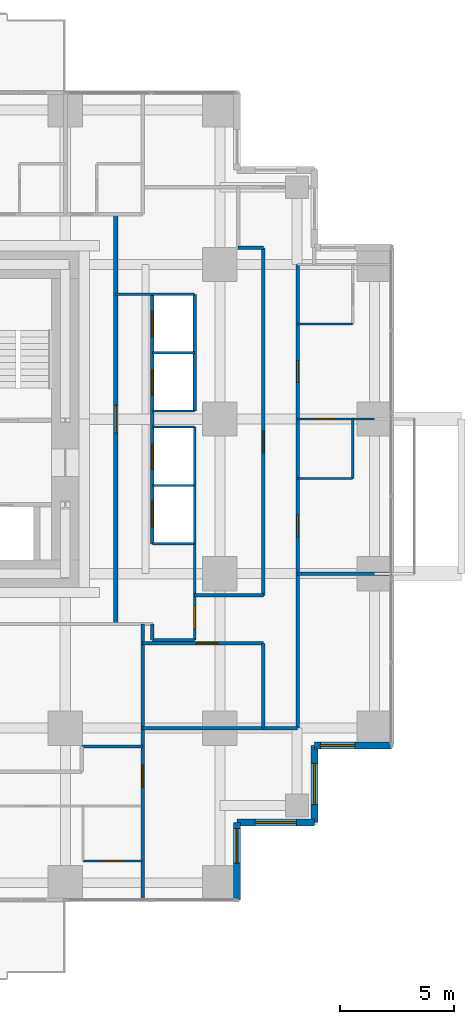
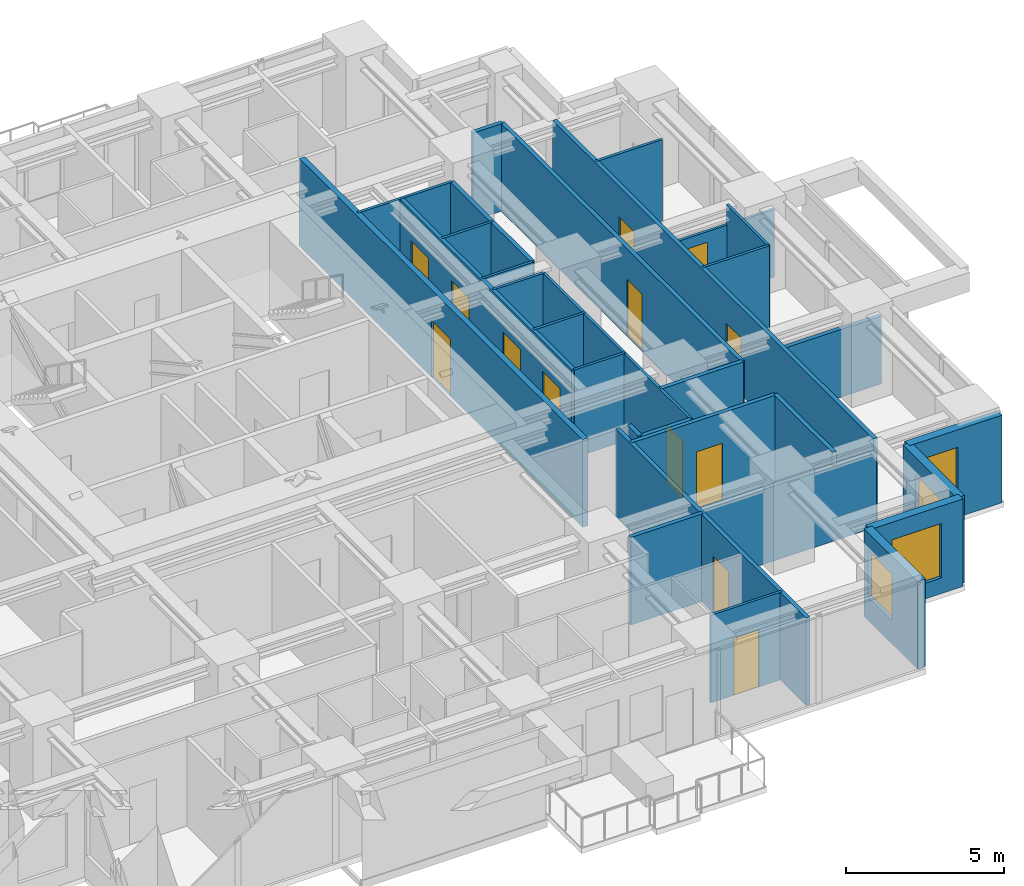
# One storey, part 9 of 12: 31 walls, 13 doors, 4 windows, 17 openings.
"""IFC4 building model written with IfcOpenShell, lengths in metres."""

from ifc_helpers import new_model, si_unit, direction, frame, frame_2d, origin, place, context, subcontext, project, spatial, rectangle, extrude, material, layer, layer_set, type_object, element, fill, save


model = new_model("IFC4")

# Units and contexts
model_context = context("Model", 3, precision=1e-05, world=origin(), true_north=direction((0.0, 1.0)))
body_context = subcontext(model_context, "Body", "Model", "MODEL_VIEW")
ifc_project = project(units=[si_unit("LENGTHUNIT", "METRE"), si_unit("AREAUNIT", "SQUARE_METRE"), si_unit("VOLUMEUNIT", "CUBIC_METRE"), si_unit("PLANEANGLEUNIT", "RADIAN"), si_unit("MASSUNIT", "GRAM", prefix="KILO")], contexts=[model_context])

# Site, building, storey
site_placement = place(None, origin())
site = spatial("IfcSite", under=ifc_project, at=site_placement, CompositionType="ELEMENT")
building_placement = place(site_placement, origin())
building = spatial("IfcBuilding", under=site, at=building_placement, Name="Nyansa Garden Tower", CompositionType="ELEMENT")
storey_placement = place(building_placement, frame((0.0, 0.0, 119.699951171875)))
storey = spatial("IfcBuildingStorey", under=building, at=storey_placement, Name="L32", CompositionType="ELEMENT", Elevation=119.699951171875)

# Wall, opening, door
ifc_material_1 = material(Name="Concrete blockwork, plastered, 60 minute fire resisting", Category="masonry")
ifc_layer_1 = layer(ifc_material_1, 0.199951171875)
ifc_layer_set_1 = layer_set([ifc_layer_1], Name="Corridor wall FW200")
wall_type_1 = type_object("IfcWallType", Name="Corridor wall FW200", PredefinedType="PARTITIONING", material=ifc_layer_set_1)
wall_1_placement = place(storey_placement, frame((29.199951171875, 11.300048828125, 0.0), z_axis=(0.0, 0.0, 1.0), x_axis=(0.0, 1.0, 0.0)))
wall_1 = element("IfcWall", 1, at=wall_1_placement, inside=storey, type_object=wall_type_1, Name="Corridor wall", PredefinedType="PARTITIONING", context=body_context, shape_type="SweptSolid", body=[
    extrude(rectangle(XDim=17.89990234375, YDim=0.199951171875, at=frame_2d((8.949951171875, 0.0))), origin(), (0.0, 0.0, 1.0), 3.375),
])
opening_1_placement = place(wall_1_placement, frame((8.35009765625, 0.0, 0.0)))
opening_1 = element("IfcOpeningElement", 2, at=opening_1_placement, cuts=wall_1, Name="Opening D06", PredefinedType="OPENING", context=body_context, shape_type="SweptSolid", body=[
    extrude(rectangle(XDim=1.199951171875, YDim=2.199951171875, at=frame_2d((0.60009765625, 1.10009765625))), frame((0.0, 0.10986328125, 0.0), z_axis=(0.0, -1.0, 0.0), x_axis=(1.0, 0.0, 0.0)), (0.0, 0.0, 1.0), 0.219970703125),
])
ifc_material_2 = material(Name="Steel door, 120 minute fire resisting", Category="steel")
door_type_1 = type_object("IfcDoorType", Name="Lobby door D06 1200x2200", OperationType="DOUBLE_DOOR_SINGLE_SWING", PredefinedType="DOOR", material=ifc_material_2)
door_1_placement = place(opening_1_placement, origin())
door_1 = element("IfcDoor", 3, at=door_1_placement, inside=storey, type_object=door_type_1, Name="Low-rise lift lobby door", OperationType="DOUBLE_DOOR_SINGLE_SWING", OverallHeight=2.199951171875, OverallWidth=1.199951171875, PredefinedType="DOOR", context=body_context, shape_type="SweptSolid", body=[
    extrude(rectangle(XDim=1.199951171875, YDim=2.199951171875, at=frame_2d((0.60009765625, 1.10009765625))), frame((0.0, 0.02490234375, 0.0), z_axis=(0.0, -1.0, 0.0), x_axis=(1.0, 0.0, 0.0)), (0.0, 0.0, 1.0), 0.050048828125),
])
fill(opening_1, door_1)

# Walls
ifc_material_3 = material(Name="Steel-stud shaft wall, two layers fire-rated board, EI 120", Category="steel")
ifc_layer_2 = layer(ifc_material_3, 0.10009765625)
ifc_layer_set_2 = layer_set([ifc_layer_2], Name="Lift shaft wall SW100")
wall_type_2 = type_object("IfcWallType", Name="Lift shaft wall SW100", PredefinedType="SHEAR", material=ifc_layer_set_2)
wall_2_placement = place(storey_placement, frame((29.199951171875, 25.699951171875, 0.0), z_axis=(0.0, 0.0, 1.0), x_axis=(1.0, 0.0, 0.0)))
element("IfcWall", 4, at=wall_2_placement, inside=storey, type_object=wall_type_2, Name="Lift shaft wall", PredefinedType="SHEAR", context=body_context, shape_type="SweptSolid", body=[
    extrude(rectangle(XDim=3.449951171875, YDim=0.10009765625, at=frame_2d((1.72509765625, 0.0))), origin(), (0.0, 0.0, 1.0), 3.375),
])
for number, where, z_axis, x_axis, name in (
    (5, (30.800048828125, 14.800048828125, 0.0), (0.0, 0.0, 1.0), (1.0, 0.0, 0.0), "Lift shaft wall"),
    (6, (30.800048828125, 17.35009765625, 0.0), (0.0, 0.0, 1.0), (1.0, 0.0, 0.0), "Lift shaft wall"),
    (7, (30.800048828125, 19.89990234375, 0.0), (0.0, 0.0, 1.0), (1.0, 0.0, 0.0), "Lift shaft wall"),
    (8, (30.800048828125, 20.60009765625, 0.0), (0.0, 0.0, 1.0), (1.0, 0.0, 0.0), "Lift shaft wall"),
    (9, (30.800048828125, 23.14990234375, 0.0), (0.0, 0.0, 1.0), (1.0, 0.0, 0.0), "Lift shaft wall"),
):
    element("IfcWall", number, at=place(storey_placement, frame(where, z_axis=z_axis, x_axis=x_axis)), inside=storey, type_object=wall_type_2, Name=name, PredefinedType="SHEAR", context=body_context, shape_type="SweptSolid", body=[
        extrude(rectangle(XDim=1.849853515625, YDim=0.10009765625, at=frame_2d((0.9248046875, 0.0))), origin(), (0.0, 0.0, 1.0), 3.375),
    ])

# Wall, opening, door
wall_3_placement = place(storey_placement, frame((32.64990234375, 10.60009765625, 0.0), z_axis=(0.0, 0.0, 1.0), x_axis=(0.0, 1.0, 0.0)))
wall_3 = element("IfcWall", 10, at=wall_3_placement, inside=storey, type_object=wall_type_2, Name="Lift shaft wall", PredefinedType="SHEAR", context=body_context, shape_type="SweptSolid", body=[
    extrude(rectangle(XDim=9.2998046875, YDim=0.10009765625, at=frame_2d((4.64990234375, 0.0))), origin(), (0.0, 0.0, 1.0), 3.375),
])
opening_2_placement = place(wall_3_placement, frame((0.5, 0.0, 0.0)))
opening_2 = element("IfcOpeningElement", 11, at=opening_2_placement, cuts=wall_3, Name="Opening D03", PredefinedType="OPENING", context=body_context, shape_type="SweptSolid", body=[
    extrude(rectangle(XDim=1.0, YDim=2.199951171875, at=frame_2d((0.5, 1.10009765625))), frame((0.0, 0.06005859375, 0.0), z_axis=(0.0, -1.0, 0.0), x_axis=(1.0, 0.0, 0.0)), (0.0, 0.0, 1.0), 0.1201171875),
])
ifc_material_4 = material(Name="Timber flush door, 60 minute fire resisting", Category="wood")
door_type_2 = type_object("IfcDoorType", Name="Cluster entrance door D03 1000x2200", OperationType="SINGLE_SWING_LEFT", PredefinedType="DOOR", material=ifc_material_4)
door_2_placement = place(opening_2_placement, origin())
door_2 = element("IfcDoor", 12, at=door_2_placement, inside=storey, type_object=door_type_2, Name="Door L32-037", OperationType="SINGLE_SWING_LEFT", OverallHeight=2.199951171875, OverallWidth=1.0, PredefinedType="DOOR", context=body_context, shape_type="SweptSolid", body=[
    extrude(rectangle(XDim=1.0, YDim=2.199951171875, at=frame_2d((0.5, 1.10009765625))), frame((0.0, 0.02490234375, 0.0), z_axis=(0.0, -1.0, 0.0), x_axis=(1.0, 0.0, 0.0)), (0.0, 0.0, 1.0), 0.050048828125),
])
fill(opening_2, door_2)

# Wall
ifc_material_5 = material(Name="Blockwork, plastered both sides", Category="masonry")
ifc_layer_3 = layer(ifc_material_5, 0.14990234375)
ifc_layer_set_3 = layer_set([ifc_layer_3], Name="Partition PW150")
wall_type_3 = type_object("IfcWallType", Name="Partition PW150", PredefinedType="PARTITIONING", material=ifc_layer_set_3)
wall_4_placement = place(storey_placement, frame((27.72509765625, 5.949951171875, 0.0), z_axis=(0.0, 0.0, 1.0), x_axis=(1.0, 0.0, 0.0)))
element("IfcWall", 13, at=wall_4_placement, inside=storey, type_object=wall_type_3, Name="Partition", PredefinedType="PARTITIONING", context=body_context, shape_type="SweptSolid", body=[
    extrude(rectangle(XDim=2.64990234375, YDim=0.14990234375, at=frame_2d((1.324951171875, 0.0))), origin(), (0.0, 0.0, 1.0), 3.375),
])

# Wall, opening, door
wall_5_placement = place(storey_placement, frame((30.375, -0.73388671875, 0.0), z_axis=(0.0, 0.0, 1.0), x_axis=(0.0, 1.0, 0.0)))
wall_5 = element("IfcWall", 14, at=wall_5_placement, inside=storey, type_object=wall_type_3, Name="Partition", PredefinedType="PARTITIONING", context=body_context, shape_type="SweptSolid", body=[
    extrude(rectangle(XDim=12.033935546875, YDim=0.14990234375, at=frame_2d((6.01708984375, 0.0))), origin(), (0.0, 0.0, 1.0), 3.375),
])
opening_3_placement = place(wall_5_placement, frame((4.884033203125, 0.0, 0.0)))
opening_3 = element("IfcOpeningElement", 15, at=opening_3_placement, cuts=wall_5, Name="Opening D03", PredefinedType="OPENING", context=body_context, shape_type="SweptSolid", body=[
    extrude(rectangle(XDim=1.0, YDim=2.199951171875, at=frame_2d((0.5, 1.10009765625))), frame((0.0, 0.0849609375, 0.0), z_axis=(0.0, -1.0, 0.0), x_axis=(1.0, 0.0, 0.0)), (0.0, 0.0, 1.0), 0.169921875),
])
door_3_placement = place(opening_3_placement, origin())
door_3 = element("IfcDoor", 16, at=door_3_placement, inside=storey, type_object=door_type_2, Name="Door L32-032", OperationType="SINGLE_SWING_LEFT", OverallHeight=2.199951171875, OverallWidth=1.0, PredefinedType="DOOR", context=body_context, shape_type="SweptSolid", body=[
    extrude(rectangle(XDim=1.0, YDim=2.199951171875, at=frame_2d((0.5, 1.10009765625))), frame((0.0, 0.02490234375, 0.0), z_axis=(0.0, -1.0, 0.0), x_axis=(1.0, 0.0, 0.0)), (0.0, 0.0, 1.0), 0.050048828125),
])
fill(opening_3, door_3)

# Wall
wall_6_placement = place(storey_placement, frame((30.375, 6.75, 0.0), z_axis=(0.0, 0.0, 1.0), x_axis=(1.0, 0.0, 0.0)))
element("IfcWall", 17, at=wall_6_placement, inside=storey, type_object=wall_type_3, Name="Partition", PredefinedType="PARTITIONING", context=body_context, shape_type="SweptSolid", body=[
    extrude(rectangle(XDim=6.77490234375, YDim=0.14990234375, at=frame_2d((3.387451171875, 0.0))), origin(), (0.0, 0.0, 1.0), 2.876953125),
])

# Wall, opening, door
wall_7_placement = place(storey_placement, frame((30.375, 10.449951171875, 0.0), z_axis=(0.0, 0.0, 1.0), x_axis=(1.0, 0.0, 0.0)))
wall_7 = element("IfcWall", 18, at=wall_7_placement, inside=storey, type_object=wall_type_3, Name="Partition", PredefinedType="PARTITIONING", context=body_context, shape_type="SweptSolid", body=[
    extrude(rectangle(XDim=5.27490234375, YDim=0.14990234375, at=frame_2d((2.637451171875, 0.0))), origin(), (0.0, 0.0, 1.0), 3.375),
])
opening_4_placement = place(wall_7_placement, frame((2.35009765625, 0.0, 0.0)))
opening_4 = element("IfcOpeningElement", 19, at=opening_4_placement, cuts=wall_7, Name="Opening D01", PredefinedType="OPENING", context=body_context, shape_type="SweptSolid", body=[
    extrude(rectangle(XDim=0.949951171875, YDim=2.199951171875, at=frame_2d((0.47509765625, 1.10009765625))), frame((0.0, 0.0849609375, 0.0), z_axis=(0.0, -1.0, 0.0), x_axis=(1.0, 0.0, 0.0)), (0.0, 0.0, 1.0), 0.169921875),
])
ifc_material_6 = material(Name="Timber flush door, 30 minute fire resisting", Category="wood")
door_type_3 = type_object("IfcDoorType", Name="Bedroom door D01 950x2200", OperationType="SINGLE_SWING_LEFT", PredefinedType="DOOR", material=ifc_material_6)
door_4_placement = place(opening_4_placement, origin())
door_4 = element("IfcDoor", 20, at=door_4_placement, inside=storey, type_object=door_type_3, Name="Door L32-039", OperationType="SINGLE_SWING_LEFT", OverallHeight=2.199951171875, OverallWidth=0.949951171875, PredefinedType="DOOR", context=body_context, shape_type="SweptSolid", body=[
    extrude(rectangle(XDim=0.949951171875, YDim=2.199951171875, at=frame_2d((0.47509765625, 1.10009765625))), frame((0.0, 0.02490234375, 0.0), z_axis=(0.0, -1.0, 0.0), x_axis=(1.0, 0.0, 0.0)), (0.0, 0.0, 1.0), 0.050048828125),
])
fill(opening_4, door_4)

# Walls
wall_8_placement = place(storey_placement, frame((30.800048828125, 10.60009765625, 0.0), z_axis=(0.0, 0.0, 1.0), x_axis=(0.0, 1.0, 0.0)))
element("IfcWall", 21, at=wall_8_placement, inside=storey, type_object=wall_type_3, Name="Partition", PredefinedType="PARTITIONING", context=body_context, shape_type="SweptSolid", body=[
    extrude(rectangle(XDim=0.699951171875, YDim=0.14990234375, at=frame_2d((0.35009765625, 0.0))), origin(), (0.0, 0.0, 1.0), 3.375),
])
wall_9_placement = place(storey_placement, frame((30.800048828125, 10.60009765625, 0.0), z_axis=(0.0, 0.0, 1.0), x_axis=(1.0, 0.0, 0.0)))
element("IfcWall", 22, at=wall_9_placement, inside=storey, type_object=wall_type_3, Name="Partition", PredefinedType="PARTITIONING", context=body_context, shape_type="SweptSolid", body=[
    extrude(rectangle(XDim=1.849853515625, YDim=0.14990234375, at=frame_2d((0.9248046875, 0.0))), origin(), (0.0, 0.0, 1.0), 3.375),
])

# Wall, openings, doors
wall_10_placement = place(storey_placement, frame((30.800048828125, 14.800048828125, 0.0), z_axis=(0.0, 0.0, 1.0), x_axis=(0.0, 1.0, 0.0)))
wall_10 = element("IfcWall", 23, at=wall_10_placement, inside=storey, type_object=wall_type_3, Name="Partition", PredefinedType="PARTITIONING", context=body_context, shape_type="SweptSolid", body=[
    extrude(rectangle(XDim=10.89990234375, YDim=0.14990234375, at=frame_2d((5.449951171875, 0.0))), origin(), (0.0, 0.0, 1.0), 3.375),
])
opening_5_placement = place(wall_10_placement, frame((0.75, 0.0, 0.0)))
opening_5 = element("IfcOpeningElement", 24, at=opening_5_placement, cuts=wall_10, Name="Opening LD-A", PredefinedType="OPENING", context=body_context, shape_type="SweptSolid", body=[
    extrude(rectangle(XDim=1.10009765625, YDim=2.199951171875, at=frame_2d((0.550048828125, 1.10009765625))), frame((0.0, 0.0849609375, 0.0), z_axis=(0.0, -1.0, 0.0), x_axis=(1.0, 0.0, 0.0)), (0.0, 0.0, 1.0), 0.169921875),
])
opening_6_placement = place(wall_10_placement, frame((3.25, 0.0, 0.0)))
opening_6 = element("IfcOpeningElement", 25, at=opening_6_placement, cuts=wall_10, Name="Opening LD-A", PredefinedType="OPENING", context=body_context, shape_type="SweptSolid", body=[
    extrude(rectangle(XDim=1.10009765625, YDim=2.199951171875, at=frame_2d((0.550048828125, 1.10009765625))), frame((0.0, 0.0849609375, 0.0), z_axis=(0.0, -1.0, 0.0), x_axis=(1.0, 0.0, 0.0)), (0.0, 0.0, 1.0), 0.169921875),
])
opening_7_placement = place(wall_10_placement, frame((6.5, 0.0, 0.0)))
opening_7 = element("IfcOpeningElement", 26, at=opening_7_placement, cuts=wall_10, Name="Opening LD-A", PredefinedType="OPENING", context=body_context, shape_type="SweptSolid", body=[
    extrude(rectangle(XDim=1.10009765625, YDim=2.199951171875, at=frame_2d((0.550048828125, 1.10009765625))), frame((0.0, 0.0849609375, 0.0), z_axis=(0.0, -1.0, 0.0), x_axis=(1.0, 0.0, 0.0)), (0.0, 0.0, 1.0), 0.169921875),
])
opening_8_placement = place(wall_10_placement, frame((9.050048828125, 0.0, 0.0)))
opening_8 = element("IfcOpeningElement", 27, at=opening_8_placement, cuts=wall_10, Name="Opening LD-A", PredefinedType="OPENING", context=body_context, shape_type="SweptSolid", body=[
    extrude(rectangle(XDim=1.10009765625, YDim=2.199951171875, at=frame_2d((0.550048828125, 1.10009765625))), frame((0.0, 0.0849609375, 0.0), z_axis=(0.0, -1.0, 0.0), x_axis=(1.0, 0.0, 0.0)), (0.0, 0.0, 1.0), 0.169921875),
])
ifc_material_7 = material(Name="Stainless steel centre-opening landing door of the low-rise lift, E 120", Category="steel")
door_type_4 = type_object("IfcDoorType", Name="Lift landing door LD-A 1100x2200", OperationType="DOUBLE_DOOR_SLIDING", PredefinedType="DOOR", material=ifc_material_7)
door_5_placement = place(opening_5_placement, origin())
door_5 = element("IfcDoor", 28, at=door_5_placement, inside=storey, type_object=door_type_4, Name="Landing door A1", OperationType="DOUBLE_DOOR_SLIDING", OverallHeight=2.199951171875, OverallWidth=1.10009765625, PredefinedType="DOOR", context=body_context, shape_type="SweptSolid", body=[
    extrude(rectangle(XDim=1.10009765625, YDim=2.199951171875, at=frame_2d((0.550048828125, 1.10009765625))), frame((0.0, 0.02490234375, 0.0), z_axis=(0.0, -1.0, 0.0), x_axis=(1.0, 0.0, 0.0)), (0.0, 0.0, 1.0), 0.050048828125),
])
fill(opening_5, door_5)
door_6_placement = place(opening_6_placement, origin())
door_6 = element("IfcDoor", 29, at=door_6_placement, inside=storey, type_object=door_type_4, Name="Landing door A2", OperationType="DOUBLE_DOOR_SLIDING", OverallHeight=2.199951171875, OverallWidth=1.10009765625, PredefinedType="DOOR", context=body_context, shape_type="SweptSolid", body=[
    extrude(rectangle(XDim=1.10009765625, YDim=2.199951171875, at=frame_2d((0.550048828125, 1.10009765625))), frame((0.0, 0.02490234375, 0.0), z_axis=(0.0, -1.0, 0.0), x_axis=(1.0, 0.0, 0.0)), (0.0, 0.0, 1.0), 0.050048828125),
])
fill(opening_6, door_6)
door_7_placement = place(opening_7_placement, origin())
door_7 = element("IfcDoor", 30, at=door_7_placement, inside=storey, type_object=door_type_4, Name="Landing door A3", OperationType="DOUBLE_DOOR_SLIDING", OverallHeight=2.199951171875, OverallWidth=1.10009765625, PredefinedType="DOOR", context=body_context, shape_type="SweptSolid", body=[
    extrude(rectangle(XDim=1.10009765625, YDim=2.199951171875, at=frame_2d((0.550048828125, 1.10009765625))), frame((0.0, 0.02490234375, 0.0), z_axis=(0.0, -1.0, 0.0), x_axis=(1.0, 0.0, 0.0)), (0.0, 0.0, 1.0), 0.050048828125),
])
fill(opening_7, door_7)
door_8_placement = place(opening_8_placement, origin())
door_8 = element("IfcDoor", 31, at=door_8_placement, inside=storey, type_object=door_type_4, Name="Landing door A4", OperationType="DOUBLE_DOOR_SLIDING", OverallHeight=2.199951171875, OverallWidth=1.10009765625, PredefinedType="DOOR", context=body_context, shape_type="SweptSolid", body=[
    extrude(rectangle(XDim=1.10009765625, YDim=2.199951171875, at=frame_2d((0.550048828125, 1.10009765625))), frame((0.0, 0.02490234375, 0.0), z_axis=(0.0, -1.0, 0.0), x_axis=(1.0, 0.0, 0.0)), (0.0, 0.0, 1.0), 0.050048828125),
])
fill(opening_8, door_8)

# Walls
wall_11_placement = place(storey_placement, frame((32.64990234375, 12.550048828125, 0.0), z_axis=(0.0, 0.0, 1.0), x_axis=(1.0, 0.0, 0.0)))
element("IfcWall", 32, at=wall_11_placement, inside=storey, type_object=wall_type_3, Name="Partition", PredefinedType="PARTITIONING", context=body_context, shape_type="SweptSolid", body=[
    extrude(rectangle(XDim=3.0, YDim=0.14990234375, at=frame_2d((1.5, 0.0))), origin(), (0.0, 0.0, 1.0), 3.375),
])
wall_12_placement = place(storey_placement, frame((32.64990234375, 20.60009765625, 0.0), z_axis=(0.0, 0.0, 1.0), x_axis=(0.0, 1.0, 0.0)))
element("IfcWall", 33, at=wall_12_placement, inside=storey, type_object=wall_type_3, Name="Partition", PredefinedType="PARTITIONING", context=body_context, shape_type="SweptSolid", body=[
    extrude(rectangle(XDim=5.099853515625, YDim=0.14990234375, at=frame_2d((2.5498046875, 0.0))), origin(), (0.0, 0.0, 1.0), 3.375),
])
wall_13_placement = place(storey_placement, frame((34.550048828125, 27.72509765625, 0.0), z_axis=(0.0, 0.0, 1.0), x_axis=(1.0, 0.0, 0.0)))
element("IfcWall", 34, at=wall_13_placement, inside=storey, type_object=wall_type_3, Name="Partition", PredefinedType="PARTITIONING", context=body_context, shape_type="SweptSolid", body=[
    extrude(rectangle(XDim=1.099853515625, YDim=0.14990234375, at=frame_2d((0.5498046875, 0.0))), origin(), (0.0, 0.0, 1.0), 3.375),
])
wall_14_placement = place(storey_placement, frame((35.64990234375, 6.75, 0.0), z_axis=(0.0, 0.0, 1.0), x_axis=(0.0, 1.0, 0.0)))
element("IfcWall", 35, at=wall_14_placement, inside=storey, type_object=wall_type_3, Name="Partition", PredefinedType="PARTITIONING", context=body_context, shape_type="SweptSolid", body=[
    extrude(rectangle(XDim=3.699951171875, YDim=0.14990234375, at=frame_2d((1.85009765625, 0.0))), origin(), (0.0, 0.0, 1.0), 3.375),
])

# Wall, opening, door
wall_15_placement = place(storey_placement, frame((35.64990234375, 12.550048828125, 0.0), z_axis=(0.0, 0.0, 1.0), x_axis=(0.0, 1.0, 0.0)))
wall_15 = element("IfcWall", 36, at=wall_15_placement, inside=storey, type_object=wall_type_3, Name="Partition", PredefinedType="PARTITIONING", context=body_context, shape_type="SweptSolid", body=[
    extrude(rectangle(XDim=15.175048828125, YDim=0.14990234375, at=frame_2d((7.58740234375, 0.0))), origin(), (0.0, 0.0, 1.0), 3.375),
])
opening_9_placement = place(wall_15_placement, frame((6.22509765625, 0.0, 0.0)))
opening_9 = element("IfcOpeningElement", 37, at=opening_9_placement, cuts=wall_15, Name="Opening D01", PredefinedType="OPENING", context=body_context, shape_type="SweptSolid", body=[
    extrude(rectangle(XDim=0.949951171875, YDim=2.199951171875, at=frame_2d((0.47509765625, 1.10009765625))), frame((0.0, 0.0849609375, 0.0), z_axis=(0.0, -1.0, 0.0), x_axis=(1.0, 0.0, 0.0)), (0.0, 0.0, 1.0), 0.169921875),
])
door_9_placement = place(opening_9_placement, origin())
door_9 = element("IfcDoor", 38, at=door_9_placement, inside=storey, type_object=door_type_3, Name="Door L32-038", OperationType="SINGLE_SWING_LEFT", OverallHeight=2.199951171875, OverallWidth=0.949951171875, PredefinedType="DOOR", context=body_context, shape_type="SweptSolid", body=[
    extrude(rectangle(XDim=0.949951171875, YDim=2.199951171875, at=frame_2d((0.47509765625, 1.10009765625))), frame((0.0, 0.02490234375, 0.0), z_axis=(0.0, -1.0, 0.0), x_axis=(1.0, 0.0, 0.0)), (0.0, 0.0, 1.0), 0.050048828125),
])
fill(opening_9, door_9)

# Wall, openings, doors
wall_16_placement = place(storey_placement, frame((37.14990234375, 6.75, 0.0), z_axis=(0.0, 0.0, 1.0), x_axis=(0.0, 1.0, 0.0)))
wall_16 = element("IfcWall", 39, at=wall_16_placement, inside=storey, type_object=wall_type_3, Name="Partition", PredefinedType="PARTITIONING", context=body_context, shape_type="SweptSolid", body=[
    extrude(rectangle(XDim=20.25, YDim=0.14990234375, at=frame_2d((10.125, 0.0))), origin(), (0.0, 0.0, 1.0), 3.375),
])
opening_10_placement = place(wall_16_placement, frame((15.10009765625, 0.0, 0.0)))
opening_10 = element("IfcOpeningElement", 40, at=opening_10_placement, cuts=wall_16, Name="Opening D14", PredefinedType="OPENING", context=body_context, shape_type="SweptSolid", body=[
    extrude(rectangle(XDim=0.949951171875, YDim=2.199951171875, at=frame_2d((0.47509765625, 1.10009765625))), frame((0.0, 0.0849609375, 0.0), z_axis=(0.0, -1.0, 0.0), x_axis=(1.0, 0.0, 0.0)), (0.0, 0.0, 1.0), 0.169921875),
])
opening_11_placement = place(wall_16_placement, frame((8.35009765625, 0.0, 0.0)))
opening_11 = element("IfcOpeningElement", 41, at=opening_11_placement, cuts=wall_16, Name="Opening D14", PredefinedType="OPENING", context=body_context, shape_type="SweptSolid", body=[
    extrude(rectangle(XDim=0.949951171875, YDim=2.199951171875, at=frame_2d((0.47509765625, 1.10009765625))), frame((0.0, 0.0849609375, 0.0), z_axis=(0.0, -1.0, 0.0), x_axis=(1.0, 0.0, 0.0)), (0.0, 0.0, 1.0), 0.169921875),
])
ifc_material_8 = material(Name="Timber flush door, 60 minute fire resisting, self-closing", Category="wood")
door_type_5 = type_object("IfcDoorType", Name="Studio entrance door D14 950x2200", OperationType="SINGLE_SWING_LEFT", PredefinedType="DOOR", material=ifc_material_8)
door_10_placement = place(opening_10_placement, origin())
door_10 = element("IfcDoor", 42, at=door_10_placement, inside=storey, type_object=door_type_5, Name="Door L32-033", OperationType="SINGLE_SWING_LEFT", OverallHeight=2.199951171875, OverallWidth=0.949951171875, PredefinedType="DOOR", context=body_context, shape_type="SweptSolid", body=[
    extrude(rectangle(XDim=0.949951171875, YDim=2.199951171875, at=frame_2d((0.47509765625, 1.10009765625))), frame((0.0, 0.02490234375, 0.0), z_axis=(0.0, -1.0, 0.0), x_axis=(1.0, 0.0, 0.0)), (0.0, 0.0, 1.0), 0.050048828125),
])
fill(opening_10, door_10)
door_11_placement = place(opening_11_placement, origin())
door_11 = element("IfcDoor", 43, at=door_11_placement, inside=storey, type_object=door_type_5, Name="Door L32-035", OperationType="SINGLE_SWING_LEFT", OverallHeight=2.199951171875, OverallWidth=0.949951171875, PredefinedType="DOOR", context=body_context, shape_type="SweptSolid", body=[
    extrude(rectangle(XDim=0.949951171875, YDim=2.199951171875, at=frame_2d((0.47509765625, 1.10009765625))), frame((0.0, 0.02490234375, 0.0), z_axis=(0.0, -1.0, 0.0), x_axis=(1.0, 0.0, 0.0)), (0.0, 0.0, 1.0), 0.050048828125),
])
fill(opening_11, door_11)

# Wall
wall_17_placement = place(storey_placement, frame((37.14990234375, 13.5, 0.0), z_axis=(0.0, 0.0, 1.0), x_axis=(1.0, 0.0, 0.0)))
element("IfcWall", 44, at=wall_17_placement, inside=storey, type_object=wall_type_3, Name="Partition", PredefinedType="PARTITIONING", context=body_context, shape_type="SweptSolid", body=[
    extrude(rectangle(XDim=4.083984375, YDim=0.14990234375, at=frame_2d((2.0419921875, 0.0))), origin(), (0.0, 0.0, 1.0), 2.610107421875),
])

# Wall, opening, window
ifc_material_9 = material(Name="Turquoise glazed tile on concrete blockwork", Category="masonry")
ifc_layer_4 = layer(ifc_material_9, 0.300048828125)
ifc_layer_set_4 = layer_set([ifc_layer_4], Name="Tiled corner wall TW300")
wall_type_4 = type_object("IfcWallType", Name="Tiled corner wall TW300", PredefinedType="SOLIDWALL", material=ifc_layer_set_4)
wall_18_placement = place(storey_placement, frame((34.5, -0.75, 0.0), z_axis=(0.0, 0.0, 1.0), x_axis=(0.0, 1.0, 0.0)))
wall_18 = element("IfcWall", 45, at=wall_18_placement, inside=storey, type_object=wall_type_4, Name="Tiled corner wall L32", PredefinedType="SOLIDWALL", context=body_context, shape_type="SweptSolid", body=[
    extrude(rectangle(XDim=3.375, YDim=0.300048828125, at=frame_2d((1.6875, 0.0))), origin(), (0.0, 0.0, 1.0), 3.375),
])
opening_12_placement = place(wall_18_placement, frame((1.607421875, 0.0, 0.89990234375)))
opening_12 = element("IfcOpeningElement", 46, at=opening_12_placement, cuts=wall_18, Name="Opening W1", PredefinedType="OPENING", context=body_context, shape_type="SweptSolid", body=[
    extrude(rectangle(XDim=1.5, YDim=1.800048828125, at=frame_2d((0.75, 0.89990234375))), frame((0.0, 0.159912109375, 0.0), z_axis=(0.0, -1.0, 0.0), x_axis=(1.0, 0.0, 0.0)), (0.0, 0.0, 1.0), 0.320068359375),
])
ifc_material_10 = material(Name="Black aluminium frame, dark tinted double glazing", Category="aluminium")
window_type_1 = type_object("IfcWindowType", Name="Window W1 1500x1800", PartitioningType="SINGLE_PANEL", PredefinedType="WINDOW", material=ifc_material_10)
window_1_placement = place(opening_12_placement, origin())
window_1 = element("IfcWindow", 47, at=window_1_placement, inside=storey, type_object=window_type_1, Name="Corner window L32", OverallHeight=1.800048828125, OverallWidth=1.5, PartitioningType="SINGLE_PANEL", PredefinedType="WINDOW", context=body_context, shape_type="SweptSolid", body=[
    extrude(rectangle(XDim=1.5, YDim=1.800048828125, at=frame_2d((0.75, 0.89990234375))), frame((0.0, 0.030029296875, 0.0), z_axis=(0.0, -1.0, 0.0), x_axis=(1.0, 0.0, 0.0)), (0.0, 0.0, 1.0), 0.06005859375),
])
fill(opening_12, window_1)

wall_19_placement = place(storey_placement, frame((34.5, 2.625, 0.0), z_axis=(0.0, 0.0, 1.0), x_axis=(1.0, 0.0, 0.0)))
wall_19 = element("IfcWall", 48, at=wall_19_placement, inside=storey, type_object=wall_type_4, Name="Tiled corner wall L32", PredefinedType="SOLIDWALL", context=body_context, shape_type="SweptSolid", body=[
    extrude(rectangle(XDim=3.375, YDim=0.300048828125, at=frame_2d((1.6875, 0.0))), origin(), (0.0, 0.0, 1.0), 3.375),
])
opening_13_placement = place(wall_19_placement, frame((0.78759765625, 0.0, 0.60009765625)))
opening_13 = element("IfcOpeningElement", 49, at=opening_13_placement, cuts=wall_19, Name="Opening W2", PredefinedType="OPENING", context=body_context, shape_type="SweptSolid", body=[
    extrude(rectangle(XDim=1.800048828125, YDim=2.10009765625, at=frame_2d((0.89990234375, 1.050048828125))), frame((0.0, 0.159912109375, 0.0), z_axis=(0.0, -1.0, 0.0), x_axis=(1.0, 0.0, 0.0)), (0.0, 0.0, 1.0), 0.320068359375),
])
ifc_material_11 = material(Name="Black aluminium frame, dark tinted double glazing", Category="aluminium")
window_type_2 = type_object("IfcWindowType", Name="Window W2 1800x2100", PartitioningType="SINGLE_PANEL", PredefinedType="WINDOW", material=ifc_material_11)
window_2_placement = place(opening_13_placement, origin())
window_2 = element("IfcWindow", 50, at=window_2_placement, inside=storey, type_object=window_type_2, Name="Corner window L32", OverallHeight=2.10009765625, OverallWidth=1.800048828125, PartitioningType="SINGLE_PANEL", PredefinedType="WINDOW", context=body_context, shape_type="SweptSolid", body=[
    extrude(rectangle(XDim=1.800048828125, YDim=2.10009765625, at=frame_2d((0.89990234375, 1.050048828125))), frame((0.0, 0.030029296875, 0.0), z_axis=(0.0, -1.0, 0.0), x_axis=(1.0, 0.0, 0.0)), (0.0, 0.0, 1.0), 0.06005859375),
])
fill(opening_13, window_2)

wall_20_placement = place(storey_placement, frame((37.875, 2.625, 0.0), z_axis=(0.0, 0.0, 1.0), x_axis=(0.0, 1.0, 0.0)))
wall_20 = element("IfcWall", 51, at=wall_20_placement, inside=storey, type_object=wall_type_4, Name="Tiled corner wall L32", PredefinedType="SOLIDWALL", context=body_context, shape_type="SweptSolid", body=[
    extrude(rectangle(XDim=3.375, YDim=0.300048828125, at=frame_2d((1.6875, 0.0))), origin(), (0.0, 0.0, 1.0), 3.375),
])
opening_14_placement = place(wall_20_placement, frame((0.78759765625, 0.0, 0.60009765625)))
opening_14 = element("IfcOpeningElement", 52, at=opening_14_placement, cuts=wall_20, Name="Opening W2", PredefinedType="OPENING", context=body_context, shape_type="SweptSolid", body=[
    extrude(rectangle(XDim=1.800048828125, YDim=2.10009765625, at=frame_2d((0.89990234375, 1.050048828125))), frame((0.0, 0.159912109375, 0.0), z_axis=(0.0, -1.0, 0.0), x_axis=(1.0, 0.0, 0.0)), (0.0, 0.0, 1.0), 0.320068359375),
])
window_3_placement = place(opening_14_placement, origin())
window_3 = element("IfcWindow", 53, at=window_3_placement, inside=storey, type_object=window_type_2, Name="Corner window L32", OverallHeight=2.10009765625, OverallWidth=1.800048828125, PartitioningType="SINGLE_PANEL", PredefinedType="WINDOW", context=body_context, shape_type="SweptSolid", body=[
    extrude(rectangle(XDim=1.800048828125, YDim=2.10009765625, at=frame_2d((0.89990234375, 1.050048828125))), frame((0.0, 0.030029296875, 0.0), z_axis=(0.0, -1.0, 0.0), x_axis=(1.0, 0.0, 0.0)), (0.0, 0.0, 1.0), 0.06005859375),
])
fill(opening_14, window_3)

wall_21_placement = place(storey_placement, frame((37.875, 6.0, 0.0), z_axis=(0.0, 0.0, 1.0), x_axis=(1.0, 0.0, 0.0)))
wall_21 = element("IfcWall", 54, at=wall_21_placement, inside=storey, type_object=wall_type_4, Name="Tiled corner wall L32", PredefinedType="SOLIDWALL", context=body_context, shape_type="SweptSolid", body=[
    extrude(rectangle(XDim=3.375, YDim=0.300048828125, at=frame_2d((1.6875, 0.0))), origin(), (0.0, 0.0, 1.0), 3.375),
])
opening_15_placement = place(wall_21_placement, frame((0.267578125, 0.0, 0.89990234375)))
opening_15 = element("IfcOpeningElement", 55, at=opening_15_placement, cuts=wall_21, Name="Opening W1", PredefinedType="OPENING", context=body_context, shape_type="SweptSolid", body=[
    extrude(rectangle(XDim=1.5, YDim=1.800048828125, at=frame_2d((0.75, 0.89990234375))), frame((0.0, 0.159912109375, 0.0), z_axis=(0.0, -1.0, 0.0), x_axis=(1.0, 0.0, 0.0)), (0.0, 0.0, 1.0), 0.320068359375),
])
window_4_placement = place(opening_15_placement, origin())
window_4 = element("IfcWindow", 56, at=window_4_placement, inside=storey, type_object=window_type_1, Name="Corner window L32", OverallHeight=1.800048828125, OverallWidth=1.5, PartitioningType="SINGLE_PANEL", PredefinedType="WINDOW", context=body_context, shape_type="SweptSolid", body=[
    extrude(rectangle(XDim=1.5, YDim=1.800048828125, at=frame_2d((0.75, 0.89990234375))), frame((0.0, 0.030029296875, 0.0), z_axis=(0.0, -1.0, 0.0), x_axis=(1.0, 0.0, 0.0)), (0.0, 0.0, 1.0), 0.06005859375),
])
fill(opening_15, window_4)

# Wall, opening, door
ifc_material_12 = material(Name="Moisture resistant board on steel studs, tiled", Category="steel")
ifc_layer_5 = layer(ifc_material_12, 0.10009765625)
ifc_layer_set_5 = layer_set([ifc_layer_5], Name="Wet wall PW100")
wall_type_5 = type_object("IfcWallType", Name="Wet wall PW100", PredefinedType="PARTITIONING", material=ifc_layer_set_5)
wall_22_placement = place(storey_placement, frame((27.77490234375, 0.949951171875, 0.0), z_axis=(0.0, 0.0, 1.0), x_axis=(1.0, 0.0, 0.0)))
wall_22 = element("IfcWall", 57, at=wall_22_placement, inside=storey, type_object=wall_type_5, Name="Wet wall", PredefinedType="PARTITIONING", context=body_context, shape_type="SweptSolid", body=[
    extrude(rectangle(XDim=2.60009765625, YDim=0.10009765625, at=frame_2d((1.300048828125, 0.0))), origin(), (0.0, 0.0, 1.0), 3.375),
])
opening_16_placement = place(wall_22_placement, frame((0.85009765625, 0.0, 0.0)))
opening_16 = element("IfcOpeningElement", 58, at=opening_16_placement, cuts=wall_22, Name="Opening D02", PredefinedType="OPENING", context=body_context, shape_type="SweptSolid", body=[
    extrude(rectangle(XDim=0.89990234375, YDim=2.199951171875, at=frame_2d((0.449951171875, 1.10009765625))), frame((0.0, 0.06005859375, 0.0), z_axis=(0.0, -1.0, 0.0), x_axis=(1.0, 0.0, 0.0)), (0.0, 0.0, 1.0), 0.1201171875),
])
ifc_material_13 = material(Name="Timber flush door", Category="wood")
door_type_6 = type_object("IfcDoorType", Name="En-suite door D02 900x2200", OperationType="SINGLE_SWING_RIGHT", PredefinedType="DOOR", material=ifc_material_13)
door_12_placement = place(opening_16_placement, origin())
door_12 = element("IfcDoor", 59, at=door_12_placement, inside=storey, type_object=door_type_6, Name="Door L32-026", OperationType="SINGLE_SWING_RIGHT", OverallHeight=2.199951171875, OverallWidth=0.89990234375, PredefinedType="DOOR", context=body_context, shape_type="SweptSolid", body=[
    extrude(rectangle(XDim=0.89990234375, YDim=2.199951171875, at=frame_2d((0.449951171875, 1.10009765625))), frame((0.0, 0.02490234375, 0.0), z_axis=(0.0, -1.0, 0.0), x_axis=(1.0, 0.0, 0.0)), (0.0, 0.0, 1.0), 0.050048828125),
])
fill(opening_16, door_12)

# Wall
wall_23_placement = place(storey_placement, frame((37.14990234375, 17.64990234375, 0.0), z_axis=(0.0, 0.0, 1.0), x_axis=(1.0, 0.0, 0.0)))
element("IfcWall", 60, at=wall_23_placement, inside=storey, type_object=wall_type_5, Name="Wet wall", PredefinedType="PARTITIONING", context=body_context, shape_type="SweptSolid", body=[
    extrude(rectangle(XDim=2.400146484375, YDim=0.10009765625, at=frame_2d((1.2001953125, 0.0))), origin(), (0.0, 0.0, 1.0), 3.375),
])

# Wall, opening, door
wall_24_placement = place(storey_placement, frame((37.14990234375, 20.25, 0.0), z_axis=(0.0, 0.0, 1.0), x_axis=(1.0, 0.0, 0.0)))
wall_24 = element("IfcWall", 61, at=wall_24_placement, inside=storey, type_object=wall_type_5, Name="Wet wall", PredefinedType="PARTITIONING", context=body_context, shape_type="SweptSolid", body=[
    extrude(rectangle(XDim=4.083984375, YDim=0.10009765625, at=frame_2d((2.0419921875, 0.0))), origin(), (0.0, 0.0, 1.0), 2.610107421875),
])
opening_17_placement = place(wall_24_placement, frame((0.75, 0.0, 0.0)))
opening_17 = element("IfcOpeningElement", 62, at=opening_17_placement, cuts=wall_24, Name="Opening D02", PredefinedType="OPENING", context=body_context, shape_type="SweptSolid", body=[
    extrude(rectangle(XDim=0.89990234375, YDim=2.199951171875, at=frame_2d((0.449951171875, 1.10009765625))), frame((0.0, 0.06005859375, 0.0), z_axis=(0.0, -1.0, 0.0), x_axis=(1.0, 0.0, 0.0)), (0.0, 0.0, 1.0), 0.1201171875),
])
door_13_placement = place(opening_17_placement, origin())
door_13 = element("IfcDoor", 63, at=door_13_placement, inside=storey, type_object=door_type_6, Name="Door L32-036", OperationType="SINGLE_SWING_RIGHT", OverallHeight=2.199951171875, OverallWidth=0.89990234375, PredefinedType="DOOR", context=body_context, shape_type="SweptSolid", body=[
    extrude(rectangle(XDim=0.89990234375, YDim=2.199951171875, at=frame_2d((0.449951171875, 1.10009765625))), frame((0.0, 0.02490234375, 0.0), z_axis=(0.0, -1.0, 0.0), x_axis=(1.0, 0.0, 0.0)), (0.0, 0.0, 1.0), 0.050048828125),
])
fill(opening_17, door_13)

# Walls
wall_25_placement = place(storey_placement, frame((37.14990234375, 24.39990234375, 0.0), z_axis=(0.0, 0.0, 1.0), x_axis=(1.0, 0.0, 0.0)))
element("IfcWall", 64, at=wall_25_placement, inside=storey, type_object=wall_type_5, Name="Wet wall", PredefinedType="PARTITIONING", context=body_context, shape_type="SweptSolid", body=[
    extrude(rectangle(XDim=2.400146484375, YDim=0.10009765625, at=frame_2d((1.2001953125, 0.0))), origin(), (0.0, 0.0, 1.0), 3.375),
])
wall_26_placement = place(storey_placement, frame((39.550048828125, 17.64990234375, 0.0), z_axis=(0.0, 0.0, 1.0), x_axis=(0.0, 1.0, 0.0)))
element("IfcWall", 65, at=wall_26_placement, inside=storey, type_object=wall_type_5, Name="Wet wall", PredefinedType="PARTITIONING", context=body_context, shape_type="SweptSolid", body=[
    extrude(rectangle(XDim=2.60009765625, YDim=0.10009765625, at=frame_2d((1.300048828125, 0.0))), origin(), (0.0, 0.0, 1.0), 3.375),
])

save(model, "model.ifc")
